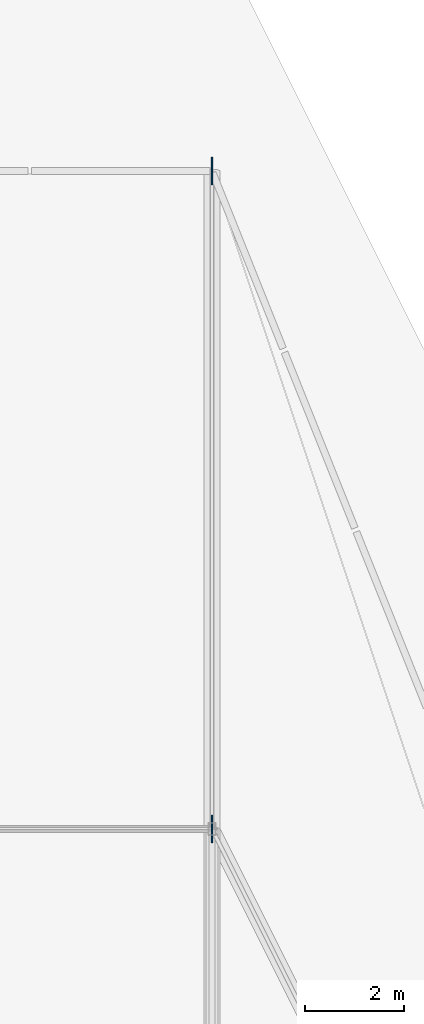
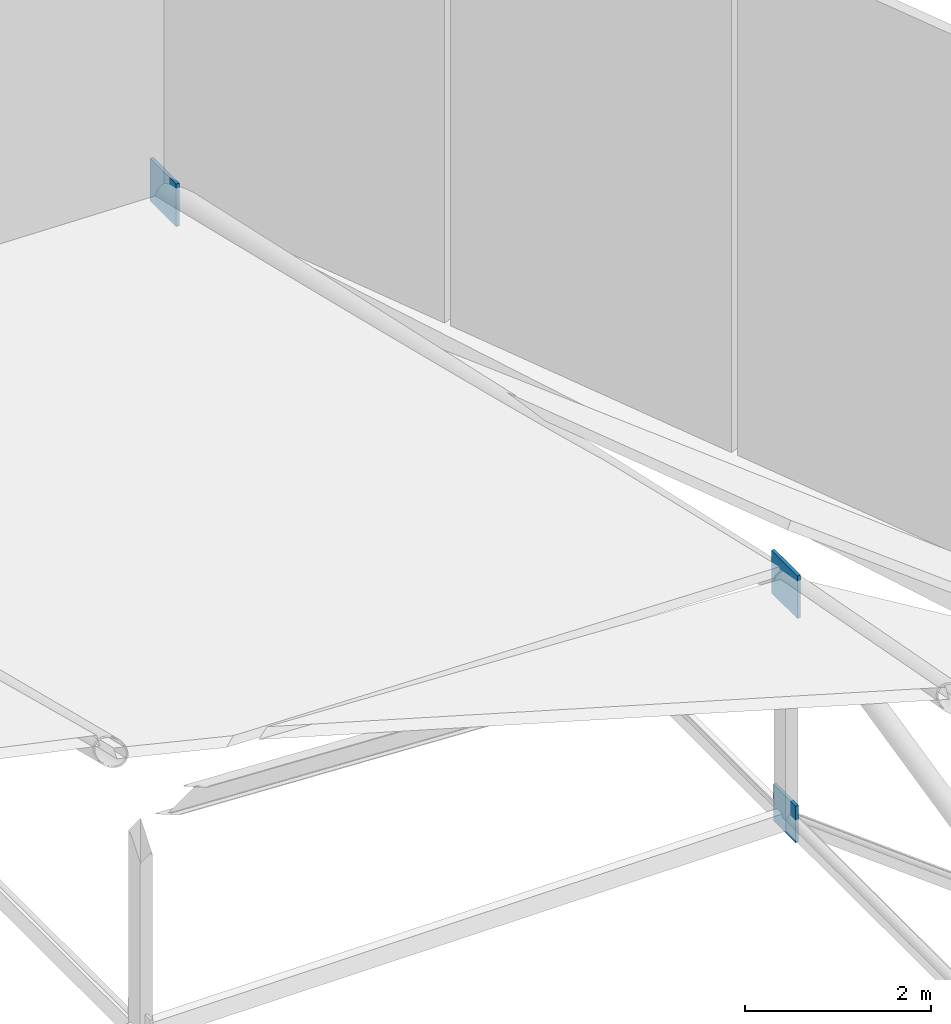
# One storey, part 29 of 30: 3 plates.
"""IFC4 building model written with IfcOpenShell, lengths in metres."""

import ifcopenshell
import ifcopenshell.guid

model = None  # the IFC model being written
_history = None  # IfcOwnerHistory: only IFC2X3 demands one
_inside = {}  # id of a spatial element -> (the spatial element, [elements in it])
_under = {}  # id of a project, library or spatial element -> (it, [spatial elements below it])
_declared = {}  # id of a project -> (the project, [libraries it declares])
_typed = {}  # id of a type object -> (the type object, [elements of that type])
_made_of = {}  # id of a material, layer set ... -> (it, [elements and type objects made of it])


def new_model(schema):
    """Start an empty IFC model of exactly this schema.

    Asked for "IFC4X3", IfcOpenShell would pick the latest addendum, in which some entities
    have other attributes; the version numbers below select the first issue.
    IFC2X3 requires an IfcOwnerHistory on every rooted entity: one is made here for all.
    """
    global model, _history
    if schema == "IFC4X3":
        model = ifcopenshell.file(schema_version=(4, 3, 0, 0))
    else:
        model = ifcopenshell.file(schema=schema)
    _inside.clear()
    _under.clear()
    _declared.clear()
    _typed.clear()
    _made_of.clear()
    _history = None
    if model.schema == "IFC2X3":
        org = make("IfcOrganization", Name="unknown")
        user = make(
            "IfcPersonAndOrganization",
            ThePerson=make("IfcPerson", FamilyName="unknown"),
            TheOrganization=org,
        )
        app = make(
            "IfcApplication",
            ApplicationDeveloper=org,
            Version="unknown",
            ApplicationFullName="unknown",
            ApplicationIdentifier="unknown",
        )
        _history = make(
            "IfcOwnerHistory",
            OwningUser=user,
            OwningApplication=app,
            ChangeAction="ADDED",
            CreationDate=0,
        )
    return model


def make(cls, **values):
    """One entity of the class cls with the attributes given. An attribute that is None is left unset."""
    return model.create_entity(
        cls, **{name: value for name, value in values.items() if value is not None}
    )


def rooted(cls, **values):
    """An entity with a GlobalId (a new one), such as an element, a storey or a relation."""
    return make(cls, GlobalId=ifcopenshell.guid.new(), OwnerHistory=_history, **values)


def si_unit(unit_type, name, prefix=None):
    """IfcSIUnit, for example si_unit("LENGTHUNIT", "METRE", prefix="MILLI")."""
    return make("IfcSIUnit", UnitType=unit_type, Prefix=prefix, Name=name)


def assignment(units):
    """IfcUnitAssignment: the units of a project."""
    return None if units is None else make("IfcUnitAssignment", Units=units)


def point(xyz):
    """IfcCartesianPoint."""
    return None if xyz is None else make("IfcCartesianPoint", Coordinates=xyz)


def direction(xyz):
    """IfcDirection."""
    return None if xyz is None else make("IfcDirection", DirectionRatios=xyz)


def frame(location, z_axis=None, x_axis=None):
    """IfcAxis2Placement3D, a coordinate frame: its origin and axes. An axis left out is left unset."""
    return make(
        "IfcAxis2Placement3D",
        Location=point(location),
        Axis=direction(z_axis),
        RefDirection=direction(x_axis),
    )


def frame_2d(location, x_axis=None):
    """IfcAxis2Placement2D, a coordinate frame in the plane: its origin and x axis."""
    return make(
        "IfcAxis2Placement2D", Location=point(location), RefDirection=direction(x_axis)
    )


def origin():
    """The frame at (0, 0, 0) with its axes left unset."""
    return frame((0.0, 0.0, 0.0))


def origin_2d():
    """The frame at (0, 0) in the plane with its x axis left unset."""
    return frame_2d((0.0, 0.0))


def place(relative_to, where):
    """IfcLocalPlacement: puts the frame where relative to a parent placement (None: the world)."""
    return make(
        "IfcLocalPlacement", PlacementRelTo=relative_to, RelativePlacement=where
    )


def context(
    kind, dimensions, precision=None, world=None, true_north=None, identifier=None
):
    """IfcGeometricRepresentationContext, for example the 3D "Model" context."""
    return make(
        "IfcGeometricRepresentationContext",
        ContextIdentifier=identifier,
        ContextType=kind,
        CoordinateSpaceDimension=dimensions,
        Precision=precision,
        WorldCoordinateSystem=world,
        TrueNorth=true_north,
    )


def subcontext(parent, identifier, kind, view, scale=None):
    """IfcGeometricRepresentationSubContext, for example "Body" below "Model"."""
    return make(
        "IfcGeometricRepresentationSubContext",
        ContextIdentifier=identifier,
        ContextType=kind,
        ParentContext=parent,
        TargetScale=scale,
        TargetView=view,
    )


def project(units=None, contexts=None):
    """IfcProject with its units and contexts."""
    return rooted(
        "IfcProject",
        Name="project",
        RepresentationContexts=contexts,
        UnitsInContext=assignment(units),
    )


def spatial(cls, under=None, at=None, **own):
    """A site, building, storey or space (cls), placed at a placement, below another one or the project."""
    s = rooted(cls, ObjectPlacement=at, **own)
    if under is not None:
        _under.setdefault(under.id(), (under, []))[1].append(s)
    return s


def profile(cls, at=None, kind="AREA", **sizes):
    """A parametric profile (cls). Its sizes go by their IFC names, for example OverallWidth=200.0."""
    return make(cls, ProfileType=kind, Position=at, **sizes)


def rectangle(**sizes):
    """IfcRectangleProfileDef."""
    return profile("IfcRectangleProfileDef", **sizes)


def extrude(swept, where, along, depth):
    """IfcExtrudedAreaSolid: the profile swept, set in the frame where, extruded along a direction by depth."""
    return make(
        "IfcExtrudedAreaSolid",
        SweptArea=swept,
        Position=where,
        ExtrudedDirection=direction(along),
        Depth=depth,
    )


def shape(context_of_items, identifier, shape_type, items):
    """IfcShapeRepresentation: the items that make up one representation, for example the "Body"."""
    return make(
        "IfcShapeRepresentation",
        ContextOfItems=context_of_items,
        RepresentationIdentifier=identifier,
        RepresentationType=shape_type,
        Items=items,
    )


def material(Name=None, Category=None):
    """IfcMaterial."""
    return make("IfcMaterial", Name=Name, Category=Category)


def layer(
    of_material, thickness, ventilated=None, Name=None, Category=None, Priority=None
):
    """IfcMaterialLayer: one layer of a wall or slab, of a material (None: an air gap)."""
    return make(
        "IfcMaterialLayer",
        Material=of_material,
        LayerThickness=thickness,
        IsVentilated=ventilated,
        Name=Name,
        Category=Category,
        Priority=Priority,
    )


def layer_set(layers, Name=None):
    """IfcMaterialLayerSet."""
    return make("IfcMaterialLayerSet", MaterialLayers=layers, LayerSetName=Name)


def made_of(thing, what):
    """Note that an element or type object is made of a material, layer set ...; save() writes the relation."""
    if what is not None:
        _made_of.setdefault(what.id(), (what, []))[1].append(thing)
    return thing


def type_object(cls, material=None, **own):
    """A type object (cls), such as IfcWallType, which elements share."""
    return made_of(rooted(cls, **own), material)


def element(
    cls,
    number,
    at=None,
    inside=None,
    cuts=None,
    type_object=None,
    material=None,
    context=None,
    identifier="Body",
    shape_type=None,
    held_by="IfcProductDefinitionShape",
    body=None,
    shapes=None,
    **own,
):
    """One element of the class cls, such as IfcWall. Its Tag is "e" and its number.

    at: its placement. inside: the storey or other place that contains it. cuts: it is an
    opening in that element (IfcRelVoidsElement). A single representation is given by context,
    identifier, shape_type and body (its items); several are given by shapes. held_by: the class
    of the entity that holds the representations. save() writes the other relations.
    """
    e = rooted(cls, Tag="e%d" % number, ObjectPlacement=at, **own)
    if body is not None:
        shapes = [shape(context, identifier, shape_type, body)]
    if shapes is not None:
        e.Representation = make(held_by, Representations=shapes)
    if inside is not None:
        _inside.setdefault(inside.id(), (inside, []))[1].append(e)
    if cuts is not None:
        rooted(
            "IfcRelVoidsElement", RelatingBuildingElement=cuts, RelatedOpeningElement=e
        )
    if type_object is not None:
        _typed.setdefault(type_object.id(), (type_object, []))[1].append(e)
    return made_of(e, material)


def aggregate(whole, parts):
    """IfcRelAggregates: a whole, such as a stair, and the parts it consists of."""
    return rooted("IfcRelAggregates", RelatingObject=whole, RelatedObjects=parts)


def save(model, path):
    """Write the relations noted so far, then the file.

    IfcRelAggregates (storeys below a building ...), IfcRelContainedInSpatialStructure (elements
    in a storey), IfcRelDefinesByType, IfcRelAssociatesMaterial and IfcRelDeclares: one each for
    every whole, place, type object, material and project.
    """
    for whole, parts in _under.values():
        aggregate(whole, parts)
    for where, things in _inside.values():
        rooted(
            "IfcRelContainedInSpatialStructure",
            RelatedElements=things,
            RelatingStructure=where,
        )
    for kind, things in _typed.values():
        rooted("IfcRelDefinesByType", RelatedObjects=things, RelatingType=kind)
    for what, things in _made_of.values():
        rooted("IfcRelAssociatesMaterial", RelatedObjects=things, RelatingMaterial=what)
    for by, libraries in _declared.values():
        rooted("IfcRelDeclares", RelatingContext=by, RelatedDefinitions=libraries)
    model.write(path)


model = new_model("IFC4")

# Units and contexts
model_context = context("Model", 3, precision=1e-05, world=origin(), true_north=direction((0.0, 1.0)))
body_context = subcontext(model_context, "Body", "Model", "MODEL_VIEW")
ifc_project = project(units=[si_unit("LENGTHUNIT", "METRE"), si_unit("AREAUNIT", "SQUARE_METRE"), si_unit("VOLUMEUNIT", "CUBIC_METRE"), si_unit("PLANEANGLEUNIT", "RADIAN"), si_unit("MASSUNIT", "GRAM", prefix="KILO")], contexts=[model_context])

# Site, building, storey
site_placement = place(None, origin())
site = spatial("IfcSite", under=ifc_project, at=site_placement, CompositionType="ELEMENT")
building_placement = place(site_placement, origin())
building = spatial("IfcBuilding", under=site, at=building_placement, Name="Tazarka Park Arena", CompositionType="ELEMENT")
storey_placement = place(building_placement, frame((0.0, 0.0, 29.39990234375)))
storey = spatial("IfcBuildingStorey", under=building, at=storey_placement, Name="Roof", CompositionType="ELEMENT", Elevation=29.39990234375)

# Plates
ifc_material_1 = material(Name="Steel S460", Category="steel")
ifc_layer_1 = layer(ifc_material_1, 0.0439453125, Name="Steel S460")
ifc_layer_set_1 = layer_set([ifc_layer_1], Name="Steel S460")
plate_type_1 = type_object("IfcPlateType", Name="PLT-PL-07", PredefinedType="SHEET", material=ifc_layer_set_1)
for number, where, z_axis, x_axis, name in (
    (1, (112.0, 90.666748046875, 2.67041015625), (0.0, 0.0, 1.0), (1.0, 0.0, 0.0), "ANP-06-5"),
    (2, (112.0, 104.0, -0.280029296875), (0.0, 0.0, 1.0), (1.0, 0.0, 0.0), "ANP-06-6"),
):
    element("IfcPlate", number, at=place(storey_placement, frame(where, z_axis=z_axis, x_axis=x_axis)), inside=storey, type_object=plate_type_1, Name=name, PredefinedType="SHEET", context=body_context, shape_type="SweptSolid", body=[
        extrude(rectangle(XDim=0.0400390625, YDim=0.56005859375, at=origin_2d()), origin(), (0.0, 0.0, 1.0), 0.56005859375),
    ])
ifc_material_2 = material(Name="Steel S460", Category="steel")
ifc_layer_2 = layer(ifc_material_2, 0.035888671875, Name="Steel S460")
ifc_layer_set_2 = layer_set([ifc_layer_2], Name="Steel S460")
plate_type_2 = type_object("IfcPlateType", Name="PLT-PL-15", PredefinedType="USERDEFINED", material=ifc_layer_set_2)
plate_placement = place(storey_placement, frame((112.0, 90.666748046875, -0.289794921875), z_axis=(0.0, 0.0, 1.0), x_axis=(1.0, 0.0, 0.0)))
element("IfcPlate", 3, at=plate_placement, inside=storey, type_object=plate_type_2, Name="ANB-06-5", ObjectType="STIFFENER", PredefinedType="USERDEFINED", context=body_context, shape_type="SweptSolid", body=[
    extrude(rectangle(XDim=0.035888671875, YDim=0.47998046875, at=origin_2d()), origin(), (0.0, 0.0, 1.0), 0.47998046875),
])

save(model, "model.ifc")
